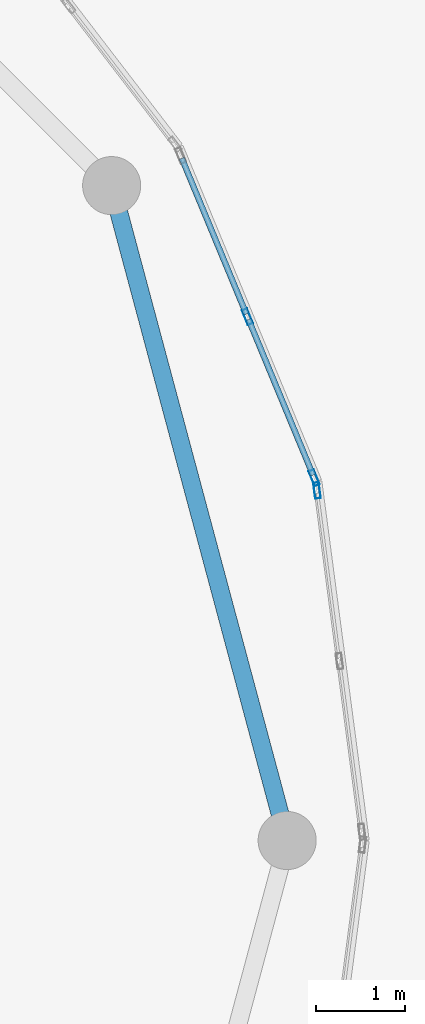
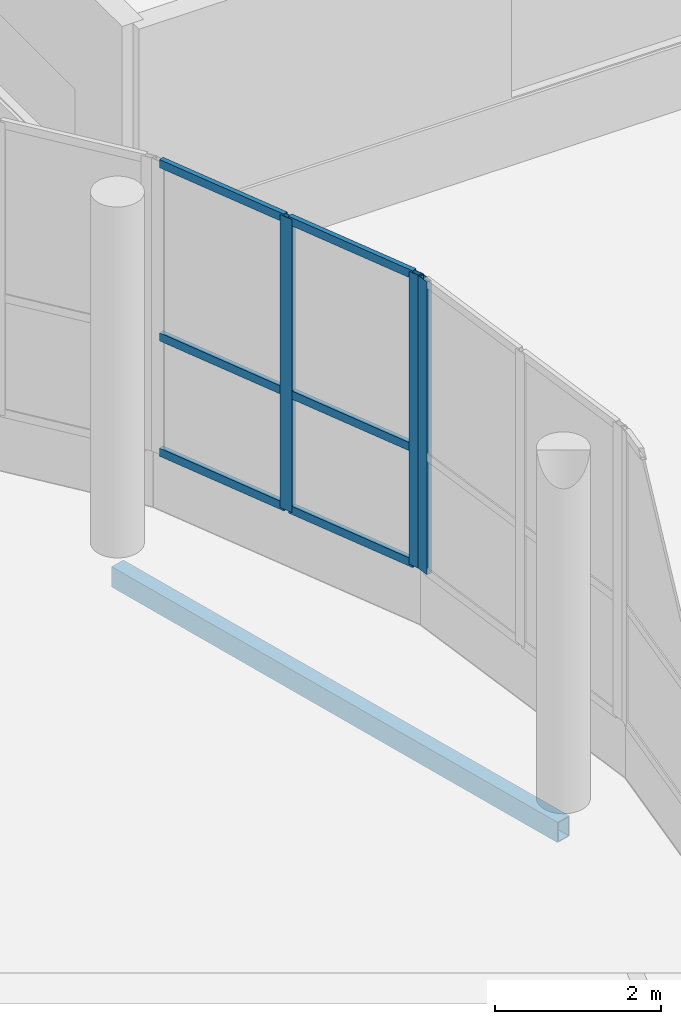
# One storey, part 17 of 101: 9 members, 1 beam, 2 elements without a shape of their own.
"""IFC4 building model written with IfcOpenShell, lengths in metres."""

from ifc_helpers import new_model, si_unit, direction, frame, origin, origin_2d, place, context, subcontext, project, spatial, hollow_rectangle, extrude, material, material_profile, profile_set, type_object, element, aggregate, save


model = new_model("IFC4")

# Units and contexts
model_context = context("Model", 3, precision=1e-05, world=origin(), true_north=direction((0.0, 1.0)))
body_context = subcontext(model_context, "Body", "Model", "MODEL_VIEW")
ifc_project = project(units=[si_unit("LENGTHUNIT", "METRE"), si_unit("AREAUNIT", "SQUARE_METRE"), si_unit("VOLUMEUNIT", "CUBIC_METRE"), si_unit("PLANEANGLEUNIT", "RADIAN"), si_unit("MASSUNIT", "GRAM", prefix="KILO")], contexts=[model_context])

# Site, building, storey
site_placement = place(None, origin())
site = spatial("IfcSite", under=ifc_project, at=site_placement, CompositionType="ELEMENT")
building_placement = place(site_placement, origin())
building = spatial("IfcBuilding", under=site, at=building_placement, Name="Selatvlak General Hospital", CompositionType="ELEMENT")
storey_placement = place(building_placement, frame((0.0, 0.0, 19.199951171875)))
storey = spatial("IfcBuildingStorey", under=building, at=storey_placement, Name="L04", CompositionType="ELEMENT", Elevation=19.199951171875)

# Beam
ifc_material_1 = material(Name="Steel S355", Category="steel")
ifc_material_profile_1 = material_profile(ifc_material_1, hollow_rectangle(XDim=0.199951171875, YDim=0.300048828125, WallThickness=0.011962890625, at=origin_2d()), Name="RHS 300x200x12")
ifc_profile_set_1 = profile_set([ifc_material_profile_1], Name="Steel S355")
beam_type = type_object("IfcBeamType", Name="BM-SP3", PredefinedType="SPANDREL", material=ifc_profile_set_1)
beam_placement = place(storey_placement, frame((112.64990234375, 54.0, -0.454833984375), z_axis=(-0.25884068345, 0.965920028052, 0.0), x_axis=(-0.965920028052, -0.25884068345, 0.0)))
element("IfcBeam", 1, at=beam_placement, inside=storey, type_object=beam_type, Name="Beam BMR-L04-1798", PredefinedType="SPANDREL", context=body_context, shape_type="SweptSolid", body=[
    extrude(hollow_rectangle(XDim=0.199951171875, YDim=0.300048828125, WallThickness=0.011962890625, at=origin_2d()), origin(), (0.0, 0.0, 1.0), 7.58349609375),
])

# Curtain wall, members
ifc_material_2 = material(Name="Solar-control Low-E double glazing", Category="glass")
curtain_wall_type_1 = type_object("IfcCurtainWallType", Name="CW-CW-04", PredefinedType="USERDEFINED", material=ifc_material_2)
curtain_wall_1_placement = place(storey_placement, origin())
curtain_wall_1 = element("IfcCurtainWall", 2, at=curtain_wall_1_placement, inside=storey, type_object=curtain_wall_type_1, Name="Glazed facade curtain wall CW-L04-0541", ObjectType="STICK GLAZING WALL", PredefinedType="USERDEFINED")
ifc_material_3 = material(Name="Dark anodised aluminium mullion", Category="aluminium")
ifc_material_profile_2 = material_profile(ifc_material_3, hollow_rectangle(XDim=0.06494140625, YDim=0.179931640625, WallThickness=0.00439453125, at=origin_2d()), Name="AL-MUL 65x180x4.5")
ifc_profile_set_2 = profile_set([ifc_material_profile_2], Name="Dark anodised aluminium mullion")
member_type_1 = type_object("IfcMemberType", Name="CWM-02", PredefinedType="MULLION", material=ifc_profile_set_2)
member_1_placement = place(storey_placement, frame((112.2060546875, 59.85888671875, 0.85009765625), z_axis=(0.0, 0.0, 1.0), x_axis=(0.923850868847, 0.382752625243, 0.0)))
member_1 = element("IfcMember", 3, at=member_1_placement, type_object=member_type_1, Name="CW-04 mullion 2", PredefinedType="MULLION", context=body_context, shape_type="SweptSolid", body=[
    extrude(hollow_rectangle(XDim=0.06494140625, YDim=0.179931640625, WallThickness=0.00439453125, at=origin_2d()), origin(), (0.0, 0.0, 1.0), 4.300048828125),
])
member_2_placement = place(storey_placement, frame((112.95263671875, 58.05712890625, 0.85009765625), z_axis=(0.0, 0.0, 1.0), x_axis=(0.923850868847, 0.382752625243, 0.0)))
member_2 = element("IfcMember", 4, at=member_2_placement, type_object=member_type_1, Name="CW-04 mullion 3", PredefinedType="MULLION", context=body_context, shape_type="SweptSolid", body=[
    extrude(hollow_rectangle(XDim=0.06494140625, YDim=0.179931640625, WallThickness=0.00439453125, at=origin_2d()), origin(), (0.0, 0.0, 1.0), 4.300048828125),
])

# Curtain wall, member
curtain_wall_type_2 = type_object("IfcCurtainWallType", Name="CW-CW-05", PredefinedType="USERDEFINED", material=ifc_material_2)
curtain_wall_2_placement = place(storey_placement, origin())
curtain_wall_2 = element("IfcCurtainWall", 5, at=curtain_wall_2_placement, inside=storey, type_object=curtain_wall_type_2, Name="Glazed facade curtain wall CW-L04-0542", ObjectType="STICK GLAZING WALL", PredefinedType="USERDEFINED")
member_3_placement = place(storey_placement, frame((112.984130859375, 57.915771484375, 0.85009765625), z_axis=(0.0, 0.0, 1.0), x_axis=(0.991451688149, 0.130474327229, 0.0)))
member_3 = element("IfcMember", 6, at=member_3_placement, type_object=member_type_1, Name="CW-05 mullion 1", PredefinedType="MULLION", context=body_context, shape_type="SweptSolid", body=[
    extrude(hollow_rectangle(XDim=0.06494140625, YDim=0.179931640625, WallThickness=0.00439453125, at=origin_2d()), origin(), (0.0, 0.0, 1.0), 4.300048828125),
])
aggregate(curtain_wall_2, [member_3])

# Member
ifc_material_profile_3 = material_profile(ifc_material_3, hollow_rectangle(XDim=0.06494140625, YDim=0.1201171875, WallThickness=0.00390625, at=origin_2d()), Name="AL-TRN 65x120x4")
ifc_profile_set_3 = profile_set([ifc_material_profile_3], Name="Dark anodised aluminium mullion")
member_type_2 = type_object("IfcMemberType", Name="CWT-01", PredefinedType="USERDEFINED", material=ifc_profile_set_3)
member_4_placement = place(storey_placement, frame((111.471923828125, 61.630859375, 0.882568359375), z_axis=(0.382748221623, -0.92385269326, 0.0), x_axis=(0.92385269326, 0.382748221623, 0.0)))
member_4 = element("IfcMember", 7, at=member_4_placement, type_object=member_type_2, Name="CW-04 transom 1.1", ObjectType="TRANSOM", PredefinedType="USERDEFINED", context=body_context, shape_type="SweptSolid", body=[
    extrude(hollow_rectangle(XDim=0.06494140625, YDim=0.1201171875, WallThickness=0.00390625, at=origin_2d()), origin(), (0.0, 0.0, 1.0), 1.885498046875),
])

member_5_placement = place(storey_placement, frame((111.471923828125, 61.630859375, 2.574951171875), z_axis=(0.382748221623, -0.92385269326, 0.0), x_axis=(0.92385269326, 0.382748221623, 0.0)))
member_5 = element("IfcMember", 8, at=member_5_placement, type_object=member_type_2, Name="CW-04 transom 1.2", ObjectType="TRANSOM", PredefinedType="USERDEFINED", context=body_context, shape_type="SweptSolid", body=[
    extrude(hollow_rectangle(XDim=0.06494140625, YDim=0.1201171875, WallThickness=0.00390625, at=origin_2d()), origin(), (0.0, 0.0, 1.0), 1.885498046875),
])

member_6_placement = place(storey_placement, frame((111.471923828125, 61.630859375, 5.117431640625), z_axis=(0.382748221623, -0.92385269326, 0.0), x_axis=(0.92385269326, 0.382748221623, 0.0)))
member_6 = element("IfcMember", 9, at=member_6_placement, type_object=member_type_2, Name="CW-04 transom 1.3", ObjectType="TRANSOM", PredefinedType="USERDEFINED", context=body_context, shape_type="SweptSolid", body=[
    extrude(hollow_rectangle(XDim=0.06494140625, YDim=0.1201171875, WallThickness=0.00390625, at=origin_2d()), origin(), (0.0, 0.0, 1.0), 1.885498046875),
])

member_7_placement = place(storey_placement, frame((112.218505859375, 59.828857421875, 0.882568359375), z_axis=(0.382794011782, -0.923833721264, 0.0), x_axis=(0.923833721264, 0.382794011782, 0.0)))
member_7 = element("IfcMember", 10, at=member_7_placement, type_object=member_type_2, Name="CW-04 transom 2.1", ObjectType="TRANSOM", PredefinedType="USERDEFINED", context=body_context, shape_type="SweptSolid", body=[
    extrude(hollow_rectangle(XDim=0.06494140625, YDim=0.1201171875, WallThickness=0.00390625, at=origin_2d()), origin(), (0.0, 0.0, 1.0), 1.88525390625),
])

member_8_placement = place(storey_placement, frame((112.218505859375, 59.828857421875, 2.574951171875), z_axis=(0.382794011782, -0.923833721264, 0.0), x_axis=(0.923833721264, 0.382794011782, 0.0)))
member_8 = element("IfcMember", 11, at=member_8_placement, type_object=member_type_2, Name="CW-04 transom 2.2", ObjectType="TRANSOM", PredefinedType="USERDEFINED", context=body_context, shape_type="SweptSolid", body=[
    extrude(hollow_rectangle(XDim=0.06494140625, YDim=0.1201171875, WallThickness=0.00390625, at=origin_2d()), origin(), (0.0, 0.0, 1.0), 1.88525390625),
])

member_9_placement = place(storey_placement, frame((112.218505859375, 59.828857421875, 5.117431640625), z_axis=(0.382794011782, -0.923833721264, 0.0), x_axis=(0.923833721264, 0.382794011782, 0.0)))
member_9 = element("IfcMember", 12, at=member_9_placement, type_object=member_type_2, Name="CW-04 transom 2.3", ObjectType="TRANSOM", PredefinedType="USERDEFINED", context=body_context, shape_type="SweptSolid", body=[
    extrude(hollow_rectangle(XDim=0.06494140625, YDim=0.1201171875, WallThickness=0.00390625, at=origin_2d()), origin(), (0.0, 0.0, 1.0), 1.88525390625),
])

aggregate(curtain_wall_1, [member_1, member_2, member_4, member_5, member_6, member_7, member_8, member_9])

save(model, "model.ifc")
